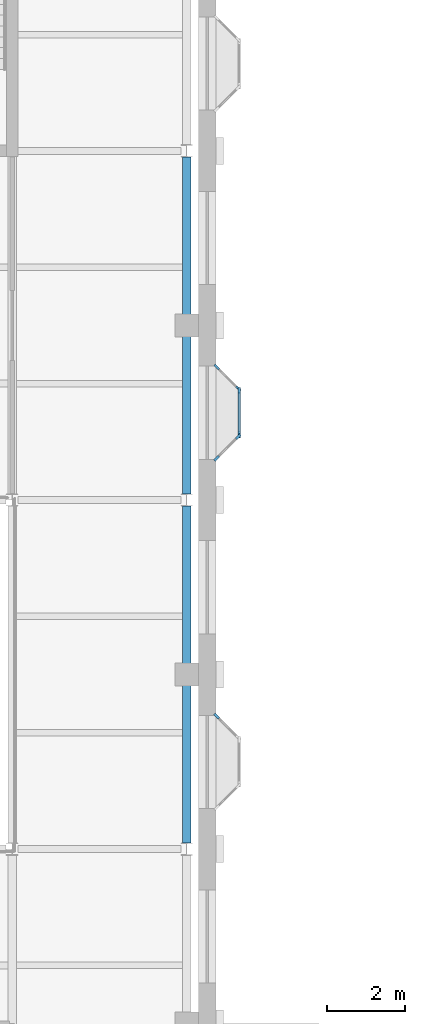
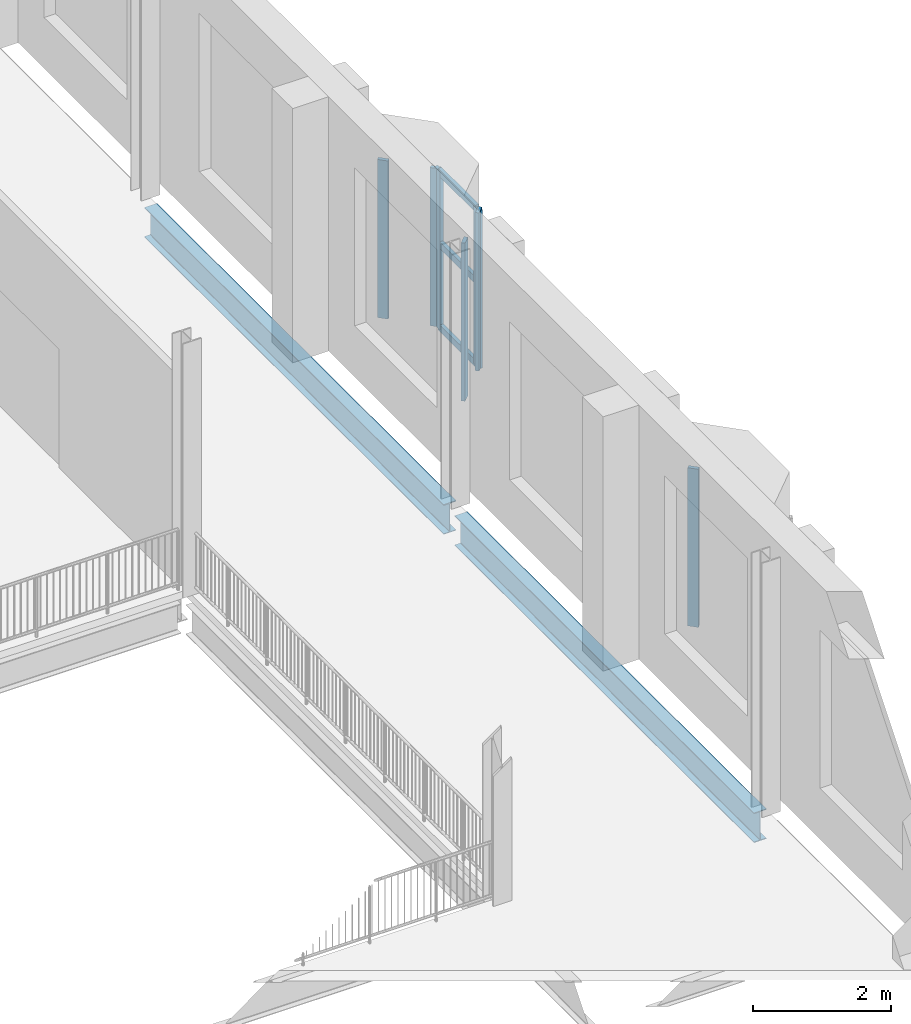
# One storey, part 19 of 74: 10 members, 2 beams, 4 elements without a shape of their own.
"""IFC4 building model written with IfcOpenShell, lengths in metres."""

from ifc_helpers import new_model, si_unit, direction, frame, origin, origin_2d, place, context, subcontext, project, spatial, rectangle, i_section, extrude, material, layer, layer_set, material_profile, profile_set, type_object, element, aggregate, save


model = new_model("IFC4")

# Units and contexts
model_context = context("Model", 3, precision=1e-05, world=origin(), true_north=direction((0.0, 1.0)))
body_context = subcontext(model_context, "Body", "Model", "MODEL_VIEW")
ifc_project = project(units=[si_unit("LENGTHUNIT", "METRE"), si_unit("AREAUNIT", "SQUARE_METRE"), si_unit("VOLUMEUNIT", "CUBIC_METRE"), si_unit("PLANEANGLEUNIT", "RADIAN"), si_unit("MASSUNIT", "GRAM", prefix="KILO")], contexts=[model_context])

# Site, building, storey
site_placement = place(None, origin())
site = spatial("IfcSite", under=ifc_project, at=site_placement, CompositionType="ELEMENT")
building_placement = place(site_placement, origin())
building = spatial("IfcBuilding", under=site, at=building_placement, Name="Hortulan Conservatory and Botanical Research Centre", CompositionType="ELEMENT")
storey_placement = place(building_placement, frame((0.0, 0.0, 6.0)))
storey = spatial("IfcBuildingStorey", under=building, at=storey_placement, Name="L01", CompositionType="ELEMENT", Elevation=6.0)

# Curtain wall, member
ifc_material_1 = material(Name="Bronze-finished aluminium", Category="aluminium")
ifc_layer = layer(ifc_material_1, 0.10009765625)
ifc_layer_set = layer_set([ifc_layer], Name="Oriel Curtain Wall 1350 module")
curtain_wall_type = type_object("IfcCurtainWallType", Name="Oriel Curtain Wall 1350 module", PredefinedType="NOTDEFINED", material=ifc_layer_set)
curtain_wall_1_placement = place(storey_placement, origin())
curtain_wall_1 = element("IfcCurtainWall", 1, at=curtain_wall_1_placement, inside=storey, type_object=curtain_wall_type, Name="Oriel glazing", PredefinedType="NOTDEFINED")
ifc_material_profile_1 = material_profile(ifc_material_1, rectangle(XDim=0.06005859375, YDim=0.159912109375, at=origin_2d()), Name="Bronze Mullion 60x160")
ifc_profile_set_1 = profile_set([ifc_material_profile_1], Name="Bronze-finished aluminium")
member_type_1 = type_object("IfcMemberType", Name="Bronze Mullion 60x160", PredefinedType="MULLION", material=ifc_profile_set_1)
member_1_placement = place(storey_placement, frame((32.271240234375, 48.4287109375, 0.89990234375), z_axis=(0.0, 0.0, 1.0), x_axis=(0.707106781187, 0.707106781187, 0.0)))
member_1 = element("IfcMember", 2, at=member_1_placement, type_object=member_type_1, Name="CW2 mullion 1", PredefinedType="MULLION", context=body_context, shape_type="SweptSolid", body=[
    extrude(rectangle(XDim=0.06005859375, YDim=0.159912109375, at=origin_2d()), origin(), (0.0, 0.0, 1.0), 2.800048828125),
])
aggregate(curtain_wall_1, [member_1])

# Curtain wall, members
curtain_wall_2_placement = place(storey_placement, origin())
curtain_wall_2 = element("IfcCurtainWall", 3, at=curtain_wall_2_placement, inside=storey, type_object=curtain_wall_type, Name="Oriel glazing", PredefinedType="NOTDEFINED")
member_2_placement = place(storey_placement, frame((32.271240234375, 57.4287109375, 0.89990234375), z_axis=(0.0, 0.0, 1.0), x_axis=(0.707106781187, 0.707106781187, 0.0)))
member_2 = element("IfcMember", 4, at=member_2_placement, type_object=member_type_1, Name="CW2 mullion 1", PredefinedType="MULLION", context=body_context, shape_type="SweptSolid", body=[
    extrude(rectangle(XDim=0.06005859375, YDim=0.159912109375, at=origin_2d()), origin(), (0.0, 0.0, 1.0), 2.800048828125),
])
member_3_placement = place(storey_placement, frame((32.828857421875, 56.87109375, 0.89990234375), z_axis=(0.0, 0.0, 1.0), x_axis=(0.707106781187, 0.707106781187, 0.0)))
member_3 = element("IfcMember", 5, at=member_3_placement, type_object=member_type_1, Name="CW2 mullion 2", PredefinedType="MULLION", context=body_context, shape_type="SweptSolid", body=[
    extrude(rectangle(XDim=0.06005859375, YDim=0.159912109375, at=origin_2d()), origin(), (0.0, 0.0, 1.0), 2.800048828125),
])
aggregate(curtain_wall_2, [member_2, member_3])

curtain_wall_3_placement = place(storey_placement, origin())
curtain_wall_3 = element("IfcCurtainWall", 6, at=curtain_wall_3_placement, inside=storey, type_object=curtain_wall_type, Name="Oriel glazing", PredefinedType="NOTDEFINED")
member_4_placement = place(storey_placement, frame((32.85009765625, 56.820068359375, 0.89990234375), z_axis=(0.0, 0.0, 1.0), x_axis=(1.0, 0.0, 0.0)))
member_4 = element("IfcMember", 7, at=member_4_placement, type_object=member_type_1, Name="CW2 mullion 1", PredefinedType="MULLION", context=body_context, shape_type="SweptSolid", body=[
    extrude(rectangle(XDim=0.06005859375, YDim=0.159912109375, at=origin_2d()), origin(), (0.0, 0.0, 1.0), 2.800048828125),
])
member_5_placement = place(storey_placement, frame((32.85009765625, 55.679931640625, 0.89990234375), z_axis=(0.0, 0.0, 1.0), x_axis=(1.0, 0.0, 0.0)))
member_5 = element("IfcMember", 8, at=member_5_placement, type_object=member_type_1, Name="CW2 mullion 2", PredefinedType="MULLION", context=body_context, shape_type="SweptSolid", body=[
    extrude(rectangle(XDim=0.06005859375, YDim=0.159912109375, at=origin_2d()), origin(), (0.0, 0.0, 1.0), 2.800048828125),
])

curtain_wall_4_placement = place(storey_placement, origin())
curtain_wall_4 = element("IfcCurtainWall", 9, at=curtain_wall_4_placement, inside=storey, type_object=curtain_wall_type, Name="Oriel glazing", PredefinedType="NOTDEFINED")
member_6_placement = place(storey_placement, frame((32.828857421875, 55.62890625, 0.89990234375), z_axis=(0.0, 0.0, 1.0), x_axis=(0.707106781187, -0.707106781187, 0.0)))
member_6 = element("IfcMember", 10, at=member_6_placement, type_object=member_type_1, Name="CW2 mullion 1", PredefinedType="MULLION", context=body_context, shape_type="SweptSolid", body=[
    extrude(rectangle(XDim=0.06005859375, YDim=0.159912109375, at=origin_2d()), origin(), (0.0, 0.0, 1.0), 2.800048828125),
])
member_7_placement = place(storey_placement, frame((32.271240234375, 55.0712890625, 0.89990234375), z_axis=(0.0, 0.0, 1.0), x_axis=(0.707106781187, -0.707106781187, 0.0)))
member_7 = element("IfcMember", 11, at=member_7_placement, type_object=member_type_1, Name="CW2 mullion 2", PredefinedType="MULLION", context=body_context, shape_type="SweptSolid", body=[
    extrude(rectangle(XDim=0.06005859375, YDim=0.159912109375, at=origin_2d()), origin(), (0.0, 0.0, 1.0), 2.800048828125),
])
aggregate(curtain_wall_4, [member_6, member_7])

# Member
ifc_material_profile_2 = material_profile(ifc_material_1, rectangle(XDim=0.06005859375, YDim=0.1201171875, at=origin_2d()), Name="Bronze Transom 60x120")
ifc_profile_set_2 = profile_set([ifc_material_profile_2], Name="Bronze-finished aluminium")
member_type_2 = type_object("IfcMemberType", Name="Bronze Transom 60x120", PredefinedType="USERDEFINED", material=ifc_profile_set_2)
member_8_placement = place(storey_placement, frame((32.85009765625, 56.7900390625, 0.929931640625), z_axis=(0.0, -1.0, 0.0), x_axis=(1.0, 0.0, 0.0)))
member_8 = element("IfcMember", 12, at=member_8_placement, type_object=member_type_2, Name="CW2 transom 1.1", ObjectType="TRANSOM", PredefinedType="USERDEFINED", context=body_context, shape_type="SweptSolid", body=[
    extrude(rectangle(XDim=0.06005859375, YDim=0.1201171875, at=origin_2d()), origin(), (0.0, 0.0, 1.0), 1.080078125),
])

member_9_placement = place(storey_placement, frame((32.85009765625, 56.7900390625, 2.39990234375), z_axis=(0.0, -1.0, 0.0), x_axis=(1.0, 0.0, 0.0)))
member_9 = element("IfcMember", 13, at=member_9_placement, type_object=member_type_2, Name="CW2 transom 1.2", ObjectType="TRANSOM", PredefinedType="USERDEFINED", context=body_context, shape_type="SweptSolid", body=[
    extrude(rectangle(XDim=0.06005859375, YDim=0.1201171875, at=origin_2d()), origin(), (0.0, 0.0, 1.0), 1.080078125),
])

member_10_placement = place(storey_placement, frame((32.85009765625, 56.7900390625, 3.669921875), z_axis=(0.0, -1.0, 0.0), x_axis=(1.0, 0.0, 0.0)))
member_10 = element("IfcMember", 14, at=member_10_placement, type_object=member_type_2, Name="CW2 transom 1.3", ObjectType="TRANSOM", PredefinedType="USERDEFINED", context=body_context, shape_type="SweptSolid", body=[
    extrude(rectangle(XDim=0.06005859375, YDim=0.1201171875, at=origin_2d()), origin(), (0.0, 0.0, 1.0), 1.080078125),
])

aggregate(curtain_wall_3, [member_4, member_5, member_8, member_9, member_10])

# Beams
ifc_material_2 = material(Name="Steel Grade 300PLUS (AS/NZS 3679.1, 280 MPa minimum yield)", Category="steel")
ifc_material_profile_3 = material_profile(ifc_material_2, i_section(OverallWidth=0.208984375, OverallDepth=0.528076171875, WebThickness=0.009521484375, FlangeThickness=0.01318359375, FilletRadius=0.013916015625, at=origin_2d()), Name="530UB82.0")
ifc_profile_set_3 = profile_set([ifc_material_profile_3], Name="Steel Grade 300PLUS (AS/NZS 3679.1, 280 MPa minimum yield)")
beam_type = type_object("IfcBeamType", Name="Primary Beam 530UB82.0", PredefinedType="BEAM", material=ifc_profile_set_3)
for number, where, z_axis, x_axis, name in (
    (15, (31.5, 45.160400390625, -0.39404296875), (0.0, 1.0, 0.0), (-1.0, 0.0, 0.0), "530UB82.0 girder"),
    (16, (31.5, 54.160400390625, -0.39404296875), (0.0, 1.0, 0.0), (-1.0, 0.0, 0.0), "530UB82.0 girder"),
):
    element("IfcBeam", number, at=place(storey_placement, frame(where, z_axis=z_axis, x_axis=x_axis)), inside=storey, type_object=beam_type, Name=name, PredefinedType="BEAM", context=body_context, shape_type="SweptSolid", body=[
        extrude(i_section(OverallWidth=0.208984375, OverallDepth=0.528076171875, WebThickness=0.009521484375, FlangeThickness=0.01318359375, FilletRadius=0.013916015625, at=origin_2d()), origin(), (0.0, 0.0, 1.0), 8.67919921875),
    ])

save(model, "model.ifc")
